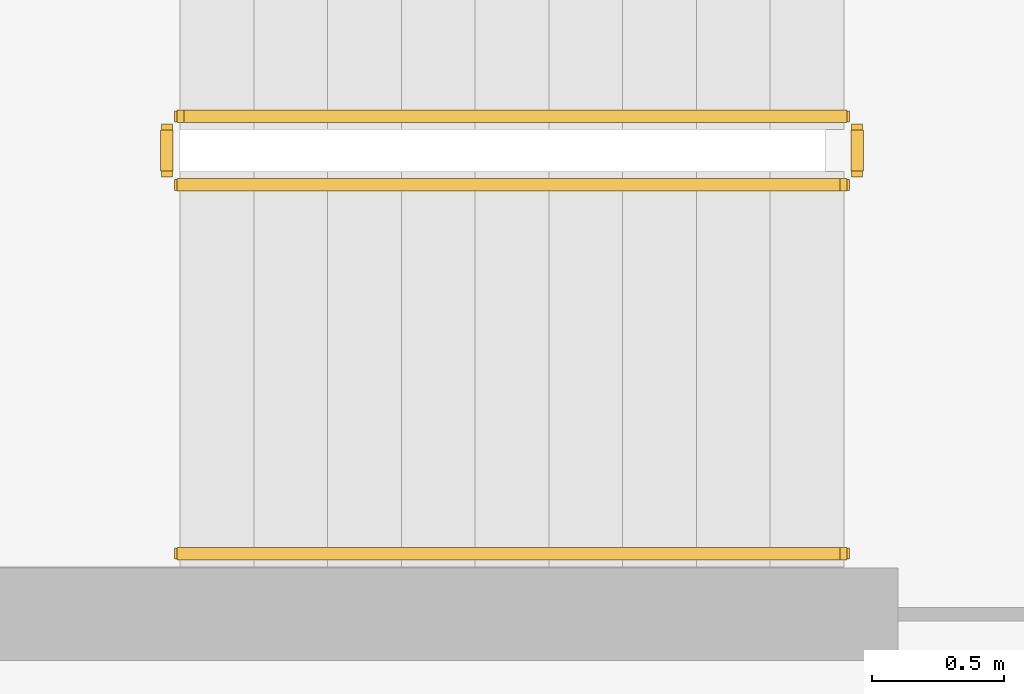
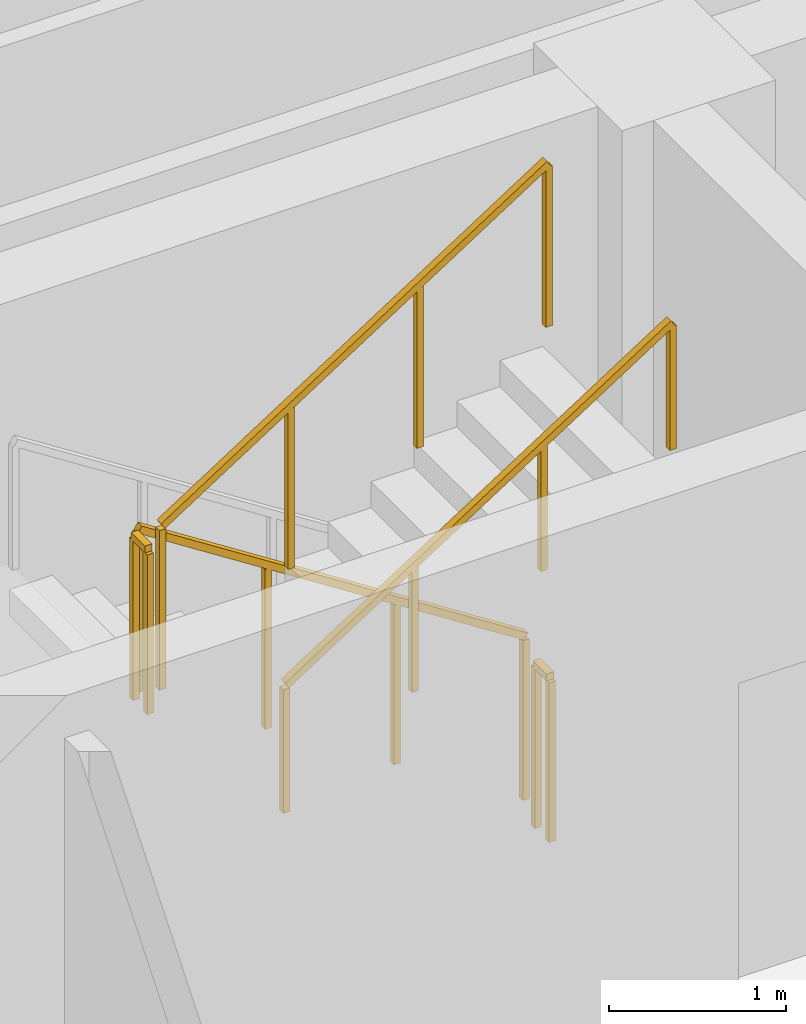
# One storey, part 12 of 14: 5 railings.
"""IFC4 building model written with IfcOpenShell, lengths in metres."""

from ifc_helpers import new_model, si_unit, direction, frame, origin, origin_2d, place, context, subcontext, project, spatial, rectangle, extrude, material, type_object, element, save


model = new_model("IFC4")

# Units and contexts
model_context = context("Model", 3, precision=1e-05, world=origin(), true_north=direction((0.0, 1.0)))
body_context = subcontext(model_context, "Body", "Model", "MODEL_VIEW")
ifc_project = project(units=[si_unit("LENGTHUNIT", "METRE"), si_unit("AREAUNIT", "SQUARE_METRE"), si_unit("VOLUMEUNIT", "CUBIC_METRE"), si_unit("PLANEANGLEUNIT", "RADIAN"), si_unit("MASSUNIT", "GRAM", prefix="KILO")], contexts=[model_context])

# Site, building, storey
site_placement = place(None, origin())
site = spatial("IfcSite", under=ifc_project, at=site_placement, CompositionType="ELEMENT")
building_placement = place(site_placement, origin())
building = spatial("IfcBuilding", under=site, at=building_placement, Name="Zarnavel Station Tower", CompositionType="ELEMENT")
storey_placement = place(building_placement, frame((0.0, 0.0, 222.0)))
storey = spatial("IfcBuildingStorey", under=building, at=storey_placement, Name="L60", CompositionType="ELEMENT", Elevation=222.0)

# Railings
ifc_material_1 = material(Name="Painted Steel S355J2 Balustrade", Category="steel")
railing_type_1 = type_object("IfcRailingType", Name="GR_INT_1150", PredefinedType="GUARDRAIL", material=ifc_material_1)
railing_1_placement = place(storey_placement, frame((19.47998046875, 35.3701171875, 0.179931640625)))
element("IfcRailing", 1, at=railing_1_placement, inside=storey, type_object=railing_type_1, Name="L60 ST1 stair guard 1", PredefinedType="GUARDRAIL", context=body_context, shape_type="SweptSolid", body=[
    extrude(rectangle(XDim=0.048095703125, YDim=0.048095703125, at=origin_2d()), frame((-0.001708984375, 0.0, 1.126953125), z_axis=(-0.841162588446, 0.0, 0.540782303519), x_axis=(0.0, -1.0, 0.0)), (0.0, 0.0, 1.0), 2.991943359375),
    extrude(rectangle(XDim=0.0419921875, YDim=0.0419921875, at=origin_2d()), origin(), (0.0, 0.0, 1.0), 1.101806640625),
    extrude(rectangle(XDim=0.0419921875, YDim=0.0419921875, at=origin_2d()), frame((-0.840087890625, 0.0, 0.5400390625)), (0.0, 0.0, 1.0), 1.101806640625),
    extrude(rectangle(XDim=0.0419921875, YDim=0.0419921875, at=origin_2d()), frame((-1.679931640625, 0.0, 1.080078125)), (0.0, 0.0, 1.0), 1.101806640625),
    extrude(rectangle(XDim=0.0419921875, YDim=0.0419921875, at=origin_2d()), frame((-2.52001953125, 0.0, 1.6201171875)), (0.0, 0.0, 1.0), 1.101806640625),
])
railing_2_placement = place(storey_placement, frame((16.909912109375, 35.320068359375, 1.800048828125)))
element("IfcRailing", 2, at=railing_2_placement, inside=storey, type_object=railing_type_1, Name="L60 ST1 stair guard 2", PredefinedType="GUARDRAIL", context=body_context, shape_type="SweptSolid", body=[
    extrude(rectangle(XDim=0.048095703125, YDim=0.048095703125, at=origin_2d()), frame((0.0, -0.001953125, 1.1259765625), z_axis=(0.0, -1.0, 0.0), x_axis=(1.0, 0.0, 0.0)), (0.0, 0.0, 1.0), 0.15625),
    extrude(rectangle(XDim=0.0419921875, YDim=0.0419921875, at=origin_2d()), origin(), (0.0, 0.0, 1.0), 1.101806640625),
    extrude(rectangle(XDim=0.0419921875, YDim=0.0419921875, at=origin_2d()), frame((0.0, -0.16015625, 0.0)), (0.0, 0.0, 1.0), 1.101806640625),
])
railing_3_placement = place(storey_placement, frame((16.9599609375, 35.110107421875, 1.97998046875)))
element("IfcRailing", 3, at=railing_3_placement, inside=storey, type_object=railing_type_1, Name="L60 ST1 stair guard 3", PredefinedType="GUARDRAIL", context=body_context, shape_type="SweptSolid", body=[
    extrude(rectangle(XDim=0.048095703125, YDim=0.048095703125, at=origin_2d()), frame((0.001708984375, 0.0, 1.126953125), z_axis=(0.841162588446, 0.0, 0.540782303519), x_axis=(0.0, 1.0, 0.0)), (0.0, 0.0, 1.0), 2.991943359375),
    extrude(rectangle(XDim=0.0419921875, YDim=0.0419921875, at=origin_2d()), origin(), (0.0, 0.0, 1.0), 1.101806640625),
    extrude(rectangle(XDim=0.0419921875, YDim=0.0419921875, at=origin_2d()), frame((0.840087890625, 0.0, 0.5400390625)), (0.0, 0.0, 1.0), 1.101806640625),
    extrude(rectangle(XDim=0.0419921875, YDim=0.0419921875, at=origin_2d()), frame((1.679931640625, 0.0, 1.080078125)), (0.0, 0.0, 1.0), 1.101806640625),
    extrude(rectangle(XDim=0.0419921875, YDim=0.0419921875, at=origin_2d()), frame((2.52001953125, 0.0, 1.6201171875)), (0.0, 0.0, 1.0), 1.101806640625),
])
railing_4_placement = place(storey_placement, frame((19.530029296875, 35.320068359375, 0.0)))
element("IfcRailing", 4, at=railing_4_placement, inside=storey, type_object=railing_type_1, Name="L60 ST1 stair guard 4", PredefinedType="GUARDRAIL", context=body_context, shape_type="SweptSolid", body=[
    extrude(rectangle(XDim=0.048095703125, YDim=0.048095703125, at=origin_2d()), frame((0.0, -0.001953125, 1.1259765625), z_axis=(0.0, -1.0, 0.0), x_axis=(1.0, 0.0, 0.0)), (0.0, 0.0, 1.0), 0.15625),
    extrude(rectangle(XDim=0.0419921875, YDim=0.0419921875, at=origin_2d()), origin(), (0.0, 0.0, 1.0), 1.101806640625),
    extrude(rectangle(XDim=0.0419921875, YDim=0.0419921875, at=origin_2d()), frame((0.0, -0.16015625, 0.0)), (0.0, 0.0, 1.0), 1.101806640625),
])
ifc_material_2 = material(Name="Brushed Stainless Steel S355J2 Handrail", Category="steel")
railing_type_2 = type_object("IfcRailingType", Name="HR_STAIR_900", PredefinedType="HANDRAIL", material=ifc_material_2)
railing_5_placement = place(storey_placement, frame((16.9599609375, 33.7099609375, 1.97998046875)))
element("IfcRailing", 5, at=railing_5_placement, inside=storey, type_object=railing_type_2, Name="L60 ST1 stair handrail 2", PredefinedType="HANDRAIL", context=body_context, shape_type="SweptSolid", body=[
    extrude(rectangle(XDim=0.048095703125, YDim=0.048095703125, at=origin_2d()), frame((0.001708984375, 0.0, 0.876953125), z_axis=(0.841162588446, 0.0, 0.540782303519), x_axis=(0.0, 1.0, 0.0)), (0.0, 0.0, 1.0), 2.991943359375),
    extrude(rectangle(XDim=0.0419921875, YDim=0.0419921875, at=origin_2d()), origin(), (0.0, 0.0, 1.0), 0.851806640625),
    extrude(rectangle(XDim=0.0419921875, YDim=0.0419921875, at=origin_2d()), frame((0.840087890625, 0.0, 0.5400390625)), (0.0, 0.0, 1.0), 0.851806640625),
    extrude(rectangle(XDim=0.0419921875, YDim=0.0419921875, at=origin_2d()), frame((1.679931640625, 0.0, 1.080078125)), (0.0, 0.0, 1.0), 0.851806640625),
    extrude(rectangle(XDim=0.0419921875, YDim=0.0419921875, at=origin_2d()), frame((2.52001953125, 0.0, 1.6201171875)), (0.0, 0.0, 1.0), 0.851806640625),
])

save(model, "model.ifc")
